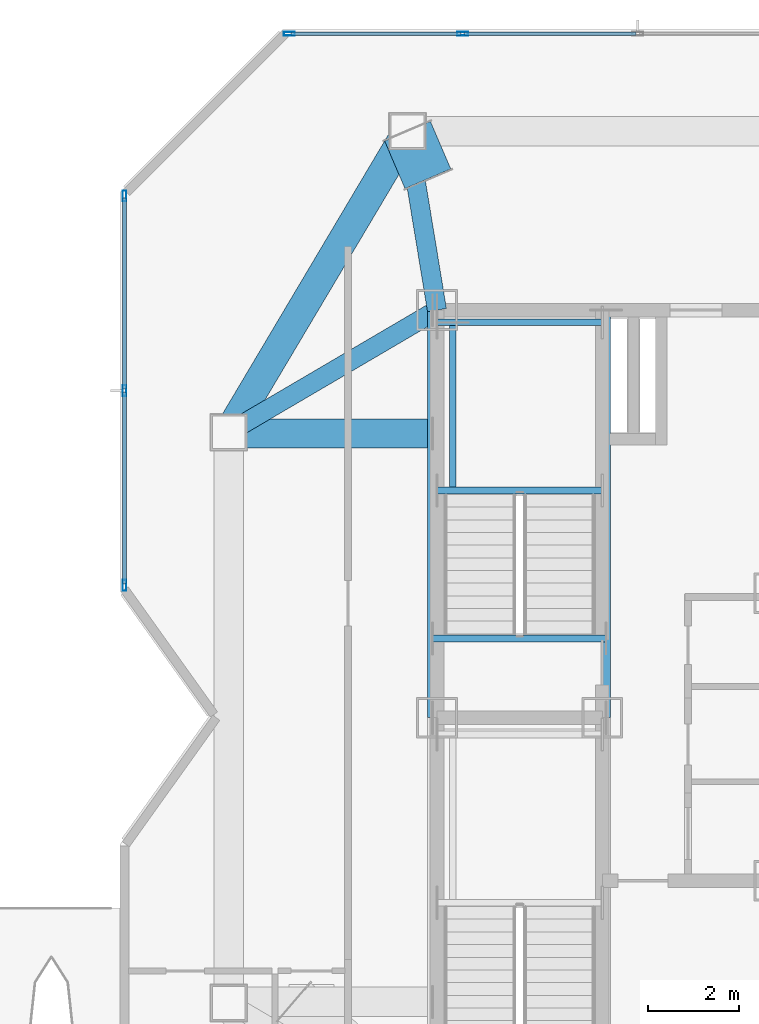
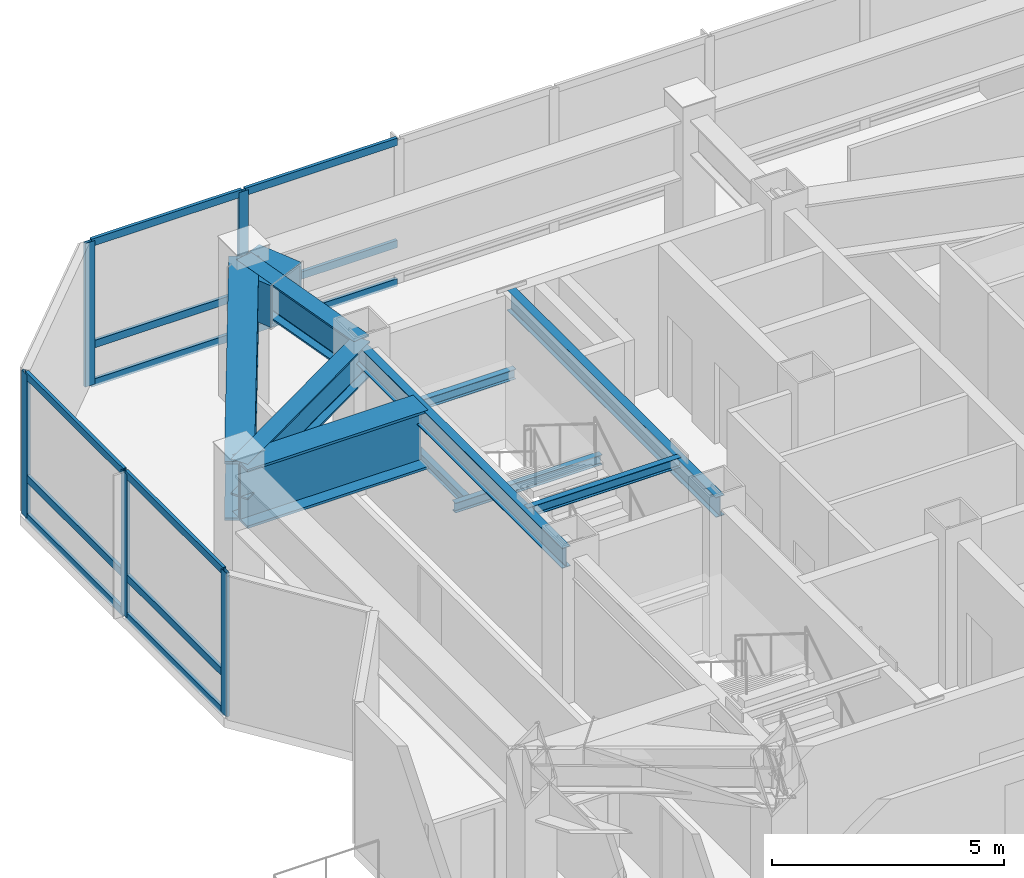
# One storey, part 2 of 16: 17 members, 11 beams, 2 elements without a shape of their own.
"""IFC4 building model written with IfcOpenShell, lengths in metres."""

from ifc_helpers import new_model, si_unit, direction, frame, origin, origin_2d, place, context, subcontext, project, spatial, hollow_rectangle, i_section, extrude, material, material_profile, profile_set, type_object, element, aggregate, save


model = new_model("IFC4")

# Units and contexts
model_context = context("Model", 3, precision=1e-05, world=origin(), true_north=direction((0.0, 1.0)))
body_context = subcontext(model_context, "Body", "Model", "MODEL_VIEW")
ifc_project = project(units=[si_unit("LENGTHUNIT", "METRE"), si_unit("AREAUNIT", "SQUARE_METRE"), si_unit("VOLUMEUNIT", "CUBIC_METRE"), si_unit("PLANEANGLEUNIT", "RADIAN"), si_unit("MASSUNIT", "GRAM", prefix="KILO")], contexts=[model_context])

# Site, building, storey
site_placement = place(None, origin())
site = spatial("IfcSite", under=ifc_project, at=site_placement, CompositionType="ELEMENT")
building_placement = place(site_placement, origin())
building = spatial("IfcBuilding", under=site, at=building_placement, Name="Khamvora Tower", CompositionType="ELEMENT")
storey_placement = place(building_placement, frame((0.0, 0.0, 273.64990234375)))
storey = spatial("IfcBuildingStorey", under=building, at=storey_placement, Name="L70", CompositionType="ELEMENT", Elevation=273.64990234375)

# Beams
ifc_material_1 = material(Name="Steel S355", Category="steel")
ifc_material_profile_1 = material_profile(ifc_material_1, i_section(OverallWidth=0.14697265625, OverallDepth=0.261962890625, WebThickness=0.007080078125, FlangeThickness=0.010986328125, FilletRadius=0.008056640625, at=origin_2d()), Name="W250x39")
ifc_profile_set_1 = profile_set([ifc_material_profile_1], Name="Steel S355")
beam_type_1 = type_object("IfcBeamType", Name="BM-LN-W250x39", PredefinedType="LINTEL", material=ifc_profile_set_1)
for number, where, z_axis, x_axis, name in (
    (1, (29.0, 33.014892578125, 1.76904296875), (1.0, 0.0, 0.0), (0.0, 1.0, 0.0), "L70 ST-02 half-landing support beam 1.1"),
    (2, (29.0, 36.72998046875, 1.76904296875), (1.0, 0.0, 0.0), (0.0, 1.0, 0.0), "L70 ST-02 half-landing support beam 1.2"),
):
    element("IfcBeam", number, at=place(storey_placement, frame(where, z_axis=z_axis, x_axis=x_axis)), inside=storey, type_object=beam_type_1, Name=name, PredefinedType="LINTEL", context=body_context, shape_type="SweptSolid", body=[
        extrude(i_section(OverallWidth=0.14697265625, OverallDepth=0.261962890625, WebThickness=0.007080078125, FlangeThickness=0.010986328125, FilletRadius=0.008056640625, at=origin_2d()), origin(), (0.0, 0.0, 1.0), 3.64990234375),
    ])
beam_1_placement = place(storey_placement, frame((29.35009765625, 33.014892578125, 1.76904296875), z_axis=(0.0, 1.0, 0.0), x_axis=(-1.0, 0.0, 0.0)))
element("IfcBeam", 3, at=beam_1_placement, inside=storey, type_object=beam_type_1, Name="L70 ST-02 half-landing edge stringer 1", PredefinedType="LINTEL", context=body_context, shape_type="SweptSolid", body=[
    extrude(i_section(OverallWidth=0.14697265625, OverallDepth=0.261962890625, WebThickness=0.007080078125, FlangeThickness=0.010986328125, FilletRadius=0.008056640625, at=origin_2d()), origin(), (0.0, 0.0, 1.0), 3.715087890625),
])
beam_2_placement = place(storey_placement, frame((28.89990234375, 29.75, 3.654052734375), z_axis=(1.0, 0.0, 0.0), x_axis=(0.0, 1.0, 0.0)))
element("IfcBeam", 4, at=beam_2_placement, inside=storey, type_object=beam_type_1, Name="L70 exit stair ST-02 landing trimmer beam", PredefinedType="LINTEL", context=body_context, shape_type="SweptSolid", body=[
    extrude(i_section(OverallWidth=0.14697265625, OverallDepth=0.261962890625, WebThickness=0.007080078125, FlangeThickness=0.010986328125, FilletRadius=0.008056640625, at=origin_2d()), origin(), (0.0, 0.0, 1.0), 3.830078125),
])
ifc_material_profile_2 = material_profile(ifc_material_1, i_section(OverallWidth=0.208984375, OverallDepth=0.532958984375, WebThickness=0.010009765625, FlangeThickness=0.01611328125, FilletRadius=0.013916015625, at=origin_2d()), Name="W530x92")
ifc_profile_set_2 = profile_set([ifc_material_profile_2], Name="Steel S355")
beam_type_2 = type_object("IfcBeamType", Name="BM-SP-W530x92", PredefinedType="SPANDREL", material=ifc_profile_set_2)
for number, where, z_axis, x_axis, name in (
    (5, (28.89990234375, 28.0, 3.51318359375), (0.0, 1.0, 0.0), (-1.0, 0.0, 0.0), "L70 core spine girder WN"),
    (6, (32.72998046875, 28.0, 3.51318359375), (0.0, 1.0, 0.0), (-1.0, 0.0, 0.0), "L70 core spine girder M1N"),
):
    element("IfcBeam", number, at=place(storey_placement, frame(where, z_axis=z_axis, x_axis=x_axis)), inside=storey, type_object=beam_type_2, Name=name, PredefinedType="SPANDREL", context=body_context, shape_type="SweptSolid", body=[
        extrude(i_section(OverallWidth=0.208984375, OverallDepth=0.532958984375, WebThickness=0.010009765625, FlangeThickness=0.01611328125, FilletRadius=0.013916015625, at=origin_2d()), origin(), (0.0, 0.0, 1.0), 9.0),
    ])
ifc_material_2 = material(Name="Steel S460", Category="steel")
ifc_material_profile_3 = material_profile(ifc_material_2, hollow_rectangle(XDim=1.10009765625, YDim=1.10009765625, WallThickness=0.054931640625, at=origin_2d()), Name="BOX1100x1100x55")
ifc_profile_set_3 = profile_set([ifc_material_profile_3], Name="Steel S460")
beam_type_3 = type_object("IfcBeamType", Name="BM-TG-BOX1100", PredefinedType="BEAM", material=ifc_profile_set_3)
beam_3_placement = place(storey_placement, frame((28.35009765625, 40.949951171875, 3.22998046875), z_axis=(0.393867712762, -0.919167136512, 0.0), x_axis=(0.919167136512, 0.393867712762, 0.0)))
element("IfcBeam", 7, at=beam_3_placement, inside=storey, type_object=beam_type_3, Name="L70 setback frame transfer frame transfer link N1.1", PredefinedType="BEAM", context=body_context, shape_type="SweptSolid", body=[
    extrude(hollow_rectangle(XDim=1.10009765625, YDim=1.10009765625, WallThickness=0.054931640625, at=origin_2d()), origin(), (0.0, 0.0, 1.0), 1.142333984375),
])
ifc_material_profile_4 = material_profile(ifc_material_2, i_section(OverallWidth=0.64990234375, OverallDepth=1.550048828125, WebThickness=0.0400390625, FlangeThickness=0.06494140625, at=origin_2d()), Name="PG1550x650x40x65")
ifc_profile_set_4 = profile_set([ifc_material_profile_4], Name="Steel S460")
beam_type_4 = type_object("IfcBeamType", Name="BM-TG-PG1800", PredefinedType="BEAM", material=ifc_profile_set_4)
beam_4_placement = place(storey_placement, frame((28.35009765625, 40.949951171875, 3.005126953125), z_axis=(-0.510712313878, -0.859751669061, 0.0), x_axis=(0.859751669061, -0.510712313878, 0.0)))
element("IfcBeam", 8, at=beam_4_placement, inside=storey, type_object=beam_type_4, Name="L70 perimeter spandrel beam N1-W2", PredefinedType="BEAM", context=body_context, shape_type="SweptSolid", body=[
    extrude(i_section(OverallWidth=0.64990234375, OverallDepth=1.550048828125, WebThickness=0.0400390625, FlangeThickness=0.06494140625, at=origin_2d()), origin(), (0.0, 0.0, 1.0), 7.734619140625),
])
beam_5_placement = place(storey_placement, frame((24.39990234375, 34.27490234375, 3.005126953125), z_axis=(1.0, 0.0, 0.0), x_axis=(0.0, 1.0, 0.0)))
element("IfcBeam", 9, at=beam_5_placement, inside=storey, type_object=beam_type_4, Name="L70 setback frame transfer Box Girder W2", PredefinedType="BEAM", context=body_context, shape_type="SweptSolid", body=[
    extrude(i_section(OverallWidth=0.64990234375, OverallDepth=1.550048828125, WebThickness=0.0400390625, FlangeThickness=0.06494140625, at=origin_2d()), origin(), (0.0, 0.0, 1.0), 4.5),
])
ifc_material_profile_5 = material_profile(ifc_material_2, i_section(OverallWidth=0.423095703125, OverallDepth=0.93310546875, WebThickness=0.02392578125, FlangeThickness=0.04296875, FilletRadius=0.02001953125, at=origin_2d()), Name="W920x446")
ifc_profile_set_5 = profile_set([ifc_material_profile_5], Name="Steel S460")
beam_type_5 = type_object("IfcBeamType", Name="BM-TL-900", PredefinedType="BEAM", material=ifc_profile_set_5)
beam_6_placement = place(storey_placement, frame((29.0, 37.0, 3.314208984375), z_axis=(-0.162351397496, 0.986733005291, 0.0), x_axis=(-0.986733005291, -0.162351397496, 0.0)))
element("IfcBeam", 10, at=beam_6_placement, inside=storey, type_object=beam_type_5, Name="L70 primary floor girder N1", PredefinedType="BEAM", context=body_context, shape_type="SweptSolid", body=[
    extrude(i_section(OverallWidth=0.423095703125, OverallDepth=0.93310546875, WebThickness=0.02392578125, FlangeThickness=0.04296875, FilletRadius=0.02001953125, at=origin_2d()), origin(), (0.0, 0.0, 1.0), 4.003173828125),
])
beam_7_placement = place(storey_placement, frame((29.0, 37.0, 3.314208984375), z_axis=(-0.862424471408, -0.506185767398, 0.0), x_axis=(0.506185767398, -0.862424471408, 0.0)))
element("IfcBeam", 11, at=beam_7_placement, inside=storey, type_object=beam_type_5, Name="L70 primary floor girder W2", PredefinedType="BEAM", context=body_context, shape_type="SweptSolid", body=[
    extrude(i_section(OverallWidth=0.423095703125, OverallDepth=0.93310546875, WebThickness=0.02392578125, FlangeThickness=0.04296875, FilletRadius=0.02001953125, at=origin_2d()), origin(), (0.0, 0.0, 1.0), 5.333984375),
])

# Curtain wall, members
ifc_material_3 = material(Name="Anodised Aluminium 6063-T6", Category="aluminium")
curtain_wall_type = type_object("IfcCurtainWallType", Name="CW-SYS-06", PredefinedType="NOTDEFINED", material=ifc_material_3)
curtain_wall_1_placement = place(storey_placement, origin())
curtain_wall_1 = element("IfcCurtainWall", 12, at=curtain_wall_1_placement, inside=storey, type_object=curtain_wall_type, Name="L70 stick curtain wall 05.1", PredefinedType="NOTDEFINED")
ifc_material_profile_6 = material_profile(ifc_material_3, hollow_rectangle(XDim=0.080078125, YDim=0.239990234375, WallThickness=0.0048828125, at=origin_2d()), Name="MUL80x240x5")
ifc_profile_set_6 = profile_set([ifc_material_profile_6], Name="Anodised Aluminium 6063-T6")
member_type_1 = type_object("IfcMemberType", Name="CW-SYS-06-MUL", PredefinedType="MULLION", material=ifc_profile_set_6)
member_1_placement = place(storey_placement, frame((22.10009765625, 30.922119140625, 0.0), z_axis=(0.0, 0.0, 1.0), x_axis=(-1.0, 0.0, 0.0)))
member_1 = element("IfcMember", 13, at=member_1_placement, type_object=member_type_1, Name="CW-06 mullion 1", PredefinedType="MULLION", context=body_context, shape_type="SweptSolid", body=[
    extrude(hollow_rectangle(XDim=0.080078125, YDim=0.239990234375, WallThickness=0.0048828125, at=origin_2d()), origin(), (0.0, 0.0, 1.0), 3.780029296875),
])
member_2_placement = place(storey_placement, frame((22.10009765625, 35.220458984375, 0.0), z_axis=(0.0, 0.0, 1.0), x_axis=(-1.0, 0.0, 0.0)))
member_2 = element("IfcMember", 14, at=member_2_placement, type_object=member_type_1, Name="CW-06 mullion 2", PredefinedType="MULLION", context=body_context, shape_type="SweptSolid", body=[
    extrude(hollow_rectangle(XDim=0.080078125, YDim=0.239990234375, WallThickness=0.0048828125, at=origin_2d()), origin(), (0.0, 0.0, 1.0), 3.780029296875),
])
member_3_placement = place(storey_placement, frame((22.10009765625, 39.51904296875, 0.0), z_axis=(0.0, 0.0, 1.0), x_axis=(-1.0, 0.0, 0.0)))
member_3 = element("IfcMember", 15, at=member_3_placement, type_object=member_type_1, Name="CW-06 mullion 3", PredefinedType="MULLION", context=body_context, shape_type="SweptSolid", body=[
    extrude(hollow_rectangle(XDim=0.080078125, YDim=0.239990234375, WallThickness=0.0048828125, at=origin_2d()), origin(), (0.0, 0.0, 1.0), 3.780029296875),
])

curtain_wall_2_placement = place(storey_placement, origin())
curtain_wall_2 = element("IfcCurtainWall", 16, at=curtain_wall_2_placement, inside=storey, type_object=curtain_wall_type, Name="L70 stick curtain wall 07.1", PredefinedType="NOTDEFINED")
member_4_placement = place(storey_placement, frame((25.741943359375, 43.10009765625, 0.0), z_axis=(0.0, 0.0, 1.0), x_axis=(0.0, 1.0, 0.0)))
member_4 = element("IfcMember", 17, at=member_4_placement, type_object=member_type_1, Name="CW-06 mullion 1", PredefinedType="MULLION", context=body_context, shape_type="SweptSolid", body=[
    extrude(hollow_rectangle(XDim=0.080078125, YDim=0.239990234375, WallThickness=0.0048828125, at=origin_2d()), origin(), (0.0, 0.0, 1.0), 3.780029296875),
])
member_5_placement = place(storey_placement, frame((29.567626953125, 43.10009765625, 0.0), z_axis=(0.0, 0.0, 1.0), x_axis=(0.0, 1.0, 0.0)))
member_5 = element("IfcMember", 18, at=member_5_placement, type_object=member_type_1, Name="CW-06 mullion 2", PredefinedType="MULLION", context=body_context, shape_type="SweptSolid", body=[
    extrude(hollow_rectangle(XDim=0.080078125, YDim=0.239990234375, WallThickness=0.0048828125, at=origin_2d()), origin(), (0.0, 0.0, 1.0), 3.780029296875),
])

# Member
ifc_material_profile_7 = material_profile(ifc_material_3, hollow_rectangle(XDim=0.080078125, YDim=0.195068359375, WallThickness=0.0048828125, at=origin_2d()), Name="TRN80x195x5")
ifc_profile_set_7 = profile_set([ifc_material_profile_7], Name="Anodised Aluminium 6063-T6")
member_type_2 = type_object("IfcMemberType", Name="CW-SYS-06-TRN", PredefinedType="USERDEFINED", material=ifc_profile_set_7)
member_6_placement = place(storey_placement, frame((22.10009765625, 30.9619140625, 0.0400390625), z_axis=(0.0, 1.0, 0.0), x_axis=(-1.0, 0.0, 0.0)))
member_6 = element("IfcMember", 19, at=member_6_placement, type_object=member_type_2, Name="CW-06 transom 1.1", ObjectType="TRANSOM", PredefinedType="USERDEFINED", context=body_context, shape_type="SweptSolid", body=[
    extrude(hollow_rectangle(XDim=0.080078125, YDim=0.195068359375, WallThickness=0.0048828125, at=origin_2d()), origin(), (0.0, 0.0, 1.0), 4.218505859375),
])

member_7_placement = place(storey_placement, frame((22.10009765625, 30.9619140625, 1.050048828125), z_axis=(0.0, 1.0, 0.0), x_axis=(-1.0, 0.0, 0.0)))
member_7 = element("IfcMember", 20, at=member_7_placement, type_object=member_type_2, Name="CW-06 transom 1.2", ObjectType="TRANSOM", PredefinedType="USERDEFINED", context=body_context, shape_type="SweptSolid", body=[
    extrude(hollow_rectangle(XDim=0.080078125, YDim=0.195068359375, WallThickness=0.0048828125, at=origin_2d()), origin(), (0.0, 0.0, 1.0), 4.218505859375),
])

member_8_placement = place(storey_placement, frame((22.10009765625, 30.9619140625, 3.739990234375), z_axis=(0.0, 1.0, 0.0), x_axis=(-1.0, 0.0, 0.0)))
member_8 = element("IfcMember", 21, at=member_8_placement, type_object=member_type_2, Name="CW-06 transom 1.3", ObjectType="TRANSOM", PredefinedType="USERDEFINED", context=body_context, shape_type="SweptSolid", body=[
    extrude(hollow_rectangle(XDim=0.080078125, YDim=0.195068359375, WallThickness=0.0048828125, at=origin_2d()), origin(), (0.0, 0.0, 1.0), 4.218505859375),
])

member_9_placement = place(storey_placement, frame((22.10009765625, 35.260498046875, 0.0400390625), z_axis=(0.0, 1.0, 0.0), x_axis=(-1.0, 0.0, 0.0)))
member_9 = element("IfcMember", 22, at=member_9_placement, type_object=member_type_2, Name="CW-06 transom 2.1", ObjectType="TRANSOM", PredefinedType="USERDEFINED", context=body_context, shape_type="SweptSolid", body=[
    extrude(hollow_rectangle(XDim=0.080078125, YDim=0.195068359375, WallThickness=0.0048828125, at=origin_2d()), origin(), (0.0, 0.0, 1.0), 4.218505859375),
])

member_10_placement = place(storey_placement, frame((22.10009765625, 35.260498046875, 1.050048828125), z_axis=(0.0, 1.0, 0.0), x_axis=(-1.0, 0.0, 0.0)))
member_10 = element("IfcMember", 23, at=member_10_placement, type_object=member_type_2, Name="CW-06 transom 2.2", ObjectType="TRANSOM", PredefinedType="USERDEFINED", context=body_context, shape_type="SweptSolid", body=[
    extrude(hollow_rectangle(XDim=0.080078125, YDim=0.195068359375, WallThickness=0.0048828125, at=origin_2d()), origin(), (0.0, 0.0, 1.0), 4.218505859375),
])

member_11_placement = place(storey_placement, frame((22.10009765625, 35.260498046875, 3.739990234375), z_axis=(0.0, 1.0, 0.0), x_axis=(-1.0, 0.0, 0.0)))
member_11 = element("IfcMember", 24, at=member_11_placement, type_object=member_type_2, Name="CW-06 transom 2.3", ObjectType="TRANSOM", PredefinedType="USERDEFINED", context=body_context, shape_type="SweptSolid", body=[
    extrude(hollow_rectangle(XDim=0.080078125, YDim=0.195068359375, WallThickness=0.0048828125, at=origin_2d()), origin(), (0.0, 0.0, 1.0), 4.218505859375),
])

aggregate(curtain_wall_1, [member_1, member_2, member_3, member_6, member_7, member_8, member_9, member_10, member_11])

member_12_placement = place(storey_placement, frame((25.781982421875, 43.10009765625, 0.0400390625), z_axis=(1.0, 0.0, 0.0), x_axis=(0.0, 1.0, 0.0)))
member_12 = element("IfcMember", 25, at=member_12_placement, type_object=member_type_2, Name="CW-06 transom 1.1", ObjectType="TRANSOM", PredefinedType="USERDEFINED", context=body_context, shape_type="SweptSolid", body=[
    extrude(hollow_rectangle(XDim=0.080078125, YDim=0.195068359375, WallThickness=0.0048828125, at=origin_2d()), origin(), (0.0, 0.0, 1.0), 3.74560546875),
])

member_13_placement = place(storey_placement, frame((25.781982421875, 43.10009765625, 1.050048828125), z_axis=(1.0, 0.0, 0.0), x_axis=(0.0, 1.0, 0.0)))
member_13 = element("IfcMember", 26, at=member_13_placement, type_object=member_type_2, Name="CW-06 transom 1.2", ObjectType="TRANSOM", PredefinedType="USERDEFINED", context=body_context, shape_type="SweptSolid", body=[
    extrude(hollow_rectangle(XDim=0.080078125, YDim=0.195068359375, WallThickness=0.0048828125, at=origin_2d()), origin(), (0.0, 0.0, 1.0), 3.74560546875),
])

member_14_placement = place(storey_placement, frame((25.781982421875, 43.10009765625, 3.739990234375), z_axis=(1.0, 0.0, 0.0), x_axis=(0.0, 1.0, 0.0)))
member_14 = element("IfcMember", 27, at=member_14_placement, type_object=member_type_2, Name="CW-06 transom 1.3", ObjectType="TRANSOM", PredefinedType="USERDEFINED", context=body_context, shape_type="SweptSolid", body=[
    extrude(hollow_rectangle(XDim=0.080078125, YDim=0.195068359375, WallThickness=0.0048828125, at=origin_2d()), origin(), (0.0, 0.0, 1.0), 3.74560546875),
])

member_15_placement = place(storey_placement, frame((29.607666015625, 43.10009765625, 0.0400390625), z_axis=(1.0, 0.0, 0.0), x_axis=(0.0, 1.0, 0.0)))
member_15 = element("IfcMember", 28, at=member_15_placement, type_object=member_type_2, Name="CW-06 transom 2.1", ObjectType="TRANSOM", PredefinedType="USERDEFINED", context=body_context, shape_type="SweptSolid", body=[
    extrude(hollow_rectangle(XDim=0.080078125, YDim=0.195068359375, WallThickness=0.0048828125, at=origin_2d()), origin(), (0.0, 0.0, 1.0), 3.78564453125),
])

member_16_placement = place(storey_placement, frame((29.607666015625, 43.10009765625, 1.050048828125), z_axis=(1.0, 0.0, 0.0), x_axis=(0.0, 1.0, 0.0)))
member_16 = element("IfcMember", 29, at=member_16_placement, type_object=member_type_2, Name="CW-06 transom 2.2", ObjectType="TRANSOM", PredefinedType="USERDEFINED", context=body_context, shape_type="SweptSolid", body=[
    extrude(hollow_rectangle(XDim=0.080078125, YDim=0.195068359375, WallThickness=0.0048828125, at=origin_2d()), origin(), (0.0, 0.0, 1.0), 3.78564453125),
])

member_17_placement = place(storey_placement, frame((29.607666015625, 43.10009765625, 3.739990234375), z_axis=(1.0, 0.0, 0.0), x_axis=(0.0, 1.0, 0.0)))
member_17 = element("IfcMember", 30, at=member_17_placement, type_object=member_type_2, Name="CW-06 transom 2.3", ObjectType="TRANSOM", PredefinedType="USERDEFINED", context=body_context, shape_type="SweptSolid", body=[
    extrude(hollow_rectangle(XDim=0.080078125, YDim=0.195068359375, WallThickness=0.0048828125, at=origin_2d()), origin(), (0.0, 0.0, 1.0), 3.78564453125),
])

aggregate(curtain_wall_2, [member_4, member_5, member_12, member_13, member_14, member_15, member_16, member_17])

save(model, "model.ifc")
